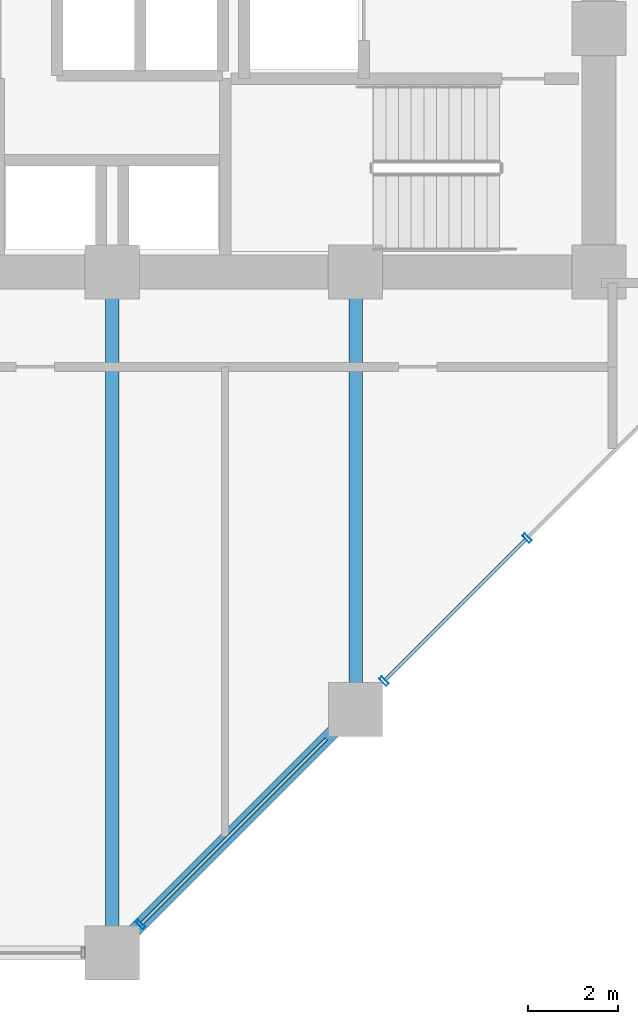
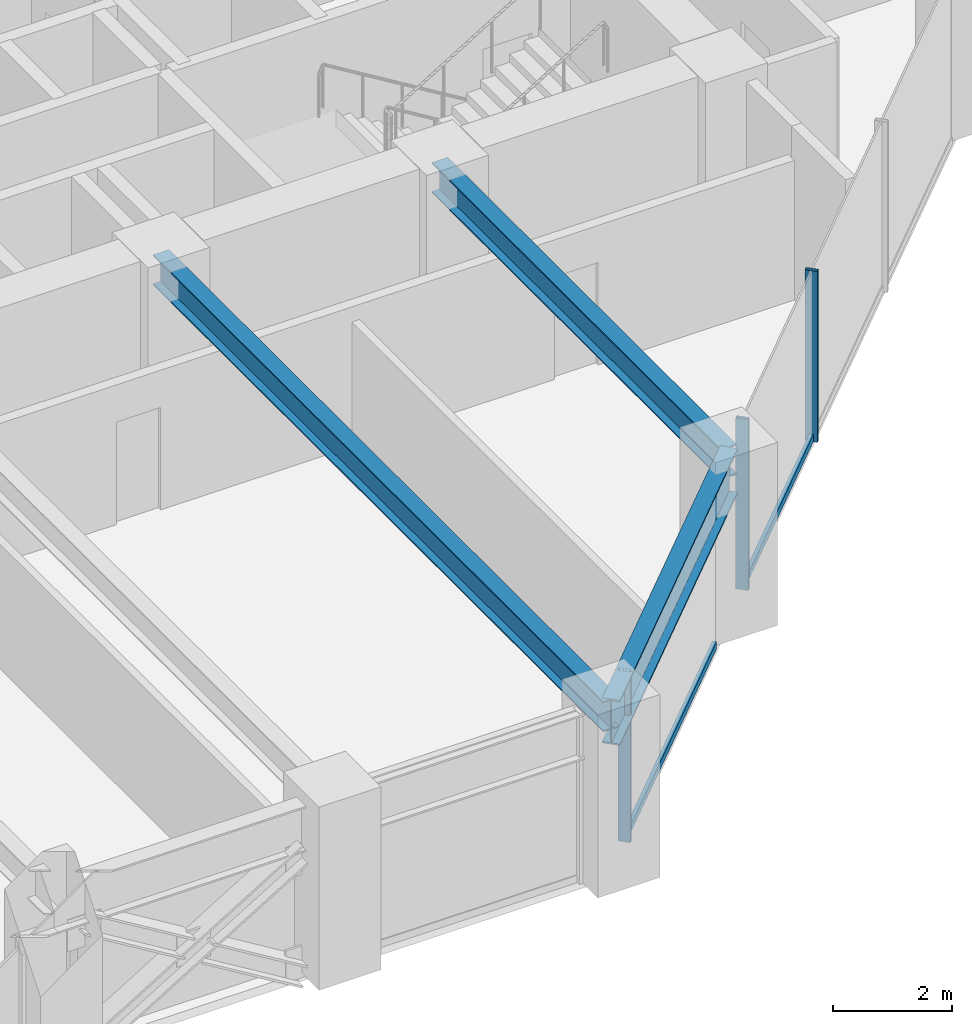
# One storey, part 7 of 26: 5 members, 3 beams, 1 element without a shape of its own.
"""IFC4 building model written with IfcOpenShell, lengths in metres."""

from ifc_helpers import new_model, si_unit, direction, frame, origin, origin_2d, place, context, subcontext, project, spatial, hollow_rectangle, i_section, extrude, material, layer, layer_set, material_profile, profile_set, type_object, element, aggregate, save


model = new_model("IFC4")

# Units and contexts
model_context = context("Model", 3, precision=1e-05, world=origin(), true_north=direction((0.0, 1.0)))
body_context = subcontext(model_context, "Body", "Model", "MODEL_VIEW")
ifc_project = project(units=[si_unit("LENGTHUNIT", "METRE"), si_unit("AREAUNIT", "SQUARE_METRE"), si_unit("VOLUMEUNIT", "CUBIC_METRE"), si_unit("PLANEANGLEUNIT", "RADIAN"), si_unit("MASSUNIT", "GRAM", prefix="KILO")], contexts=[model_context])

# Site, building, storey
site_placement = place(None, origin())
site = spatial("IfcSite", under=ifc_project, at=site_placement, CompositionType="ELEMENT")
building_placement = place(site_placement, origin())
building = spatial("IfcBuilding", under=site, at=building_placement, Name="Surkhivell Harbour Commons", CompositionType="ELEMENT")
storey_placement = place(building_placement, frame((0.0, 0.0, 75.0)))
storey = spatial("IfcBuildingStorey", under=building, at=storey_placement, Name="L19", CompositionType="ELEMENT", Elevation=75.0)

# Beams
ifc_material_1 = material(Name="Steel S355", Category="steel")
ifc_material_profile_1 = material_profile(ifc_material_1, i_section(OverallWidth=0.306884765625, OverallDepth=0.6201171875, WebThickness=0.01416015625, FlangeThickness=0.023681640625, at=origin_2d()), Name="UB610x305x179")
ifc_profile_set_1 = profile_set([ifc_material_profile_1], Name="Steel S355")
beam_type_1 = type_object("IfcBeamType", Name="BM-GRD-610A", PredefinedType="BEAM", material=ifc_profile_set_1)
beam_1_placement = place(storey_placement, frame((0.0, -25.89990234375, 3.18994140625), z_axis=(0.0, 1.0, 0.0), x_axis=(-1.0, 0.0, 0.0)))
element("IfcBeam", 1, at=beam_1_placement, inside=storey, type_object=beam_type_1, Name="L19 Floor Girder (0.0,-25.9)", PredefinedType="BEAM", context=body_context, shape_type="SweptSolid", body=[
    extrude(i_section(OverallWidth=0.306884765625, OverallDepth=0.6201171875, WebThickness=0.01416015625, FlangeThickness=0.023681640625, at=origin_2d()), origin(), (0.0, 0.0, 1.0), 15.099853515625),
])
beam_2_placement = place(storey_placement, frame((5.39990234375, -20.5, 3.18994140625), z_axis=(0.0, 1.0, 0.0), x_axis=(-1.0, 0.0, 0.0)))
element("IfcBeam", 2, at=beam_2_placement, inside=storey, type_object=beam_type_1, Name="L19 Floor Girder (5.4,-20.5)", PredefinedType="BEAM", context=body_context, shape_type="SweptSolid", body=[
    extrude(i_section(OverallWidth=0.306884765625, OverallDepth=0.6201171875, WebThickness=0.01416015625, FlangeThickness=0.023681640625, at=origin_2d()), origin(), (0.0, 0.0, 1.0), 9.699951171875),
])
ifc_material_2 = material(Name="Steel S460", Category="steel")
ifc_material_profile_2 = material_profile(ifc_material_2, i_section(OverallWidth=0.30810546875, OverallDepth=0.927001953125, WebThickness=0.01953125, FlangeThickness=0.031982421875, at=origin_2d()), Name="UB914x305x289")
ifc_profile_set_2 = profile_set([ifc_material_profile_2], Name="Steel S460")
beam_type_2 = type_object("IfcBeamType", Name="BM-SPN-914B", PredefinedType="SPANDREL", material=ifc_profile_set_2)
beam_3_placement = place(storey_placement, frame((0.0, -25.89990234375, 3.03662109375), z_axis=(0.707106781187, 0.707106781187, 0.0), x_axis=(-0.707106781187, 0.707106781187, 0.0)))
element("IfcBeam", 3, at=beam_3_placement, inside=storey, type_object=beam_type_2, Name="L19 Tube Spandrel (-0.0,-25.9)", PredefinedType="SPANDREL", context=body_context, shape_type="SweptSolid", body=[
    extrude(i_section(OverallWidth=0.30810546875, OverallDepth=0.927001953125, WebThickness=0.01953125, FlangeThickness=0.031982421875, at=origin_2d()), origin(), (0.0, 0.0, 1.0), 7.63671875),
])

# Curtain wall, members
ifc_material_3 = material(Name="Anodised pale-metal aluminium and insulated glazing", Category="aluminium")
ifc_layer = layer(ifc_material_3, 0.219970703125)
ifc_layer_set = layer_set([ifc_layer], Name="Anodised pale-metal aluminium and insulated glazing")
curtain_wall_type = type_object("IfcCurtainWallType", Name="CW-SYS-Z1", PredefinedType="NOTDEFINED", material=ifc_layer_set)
curtain_wall_placement = place(storey_placement, origin())
curtain_wall = element("IfcCurtainWall", 4, at=curtain_wall_placement, inside=storey, type_object=curtain_wall_type, Name="L19 Curtain Wall CW-L19-E01", PredefinedType="NOTDEFINED")
ifc_material_4 = material(Name="Anodised pale-metal aluminium alloy 6063-T6", Category="aluminium")
ifc_material_profile_3 = material_profile(ifc_material_4, hollow_rectangle(XDim=0.074951171875, YDim=0.219970703125, WallThickness=0.00390625, at=origin_2d()), Name="ALU-MULL-75x220")
ifc_profile_set_3 = profile_set([ifc_material_profile_3], Name="Anodised pale-metal aluminium alloy 6063-T6")
member_type_1 = type_object("IfcMemberType", Name="CWM-220", PredefinedType="MULLION", material=ifc_profile_set_3)
member_1_placement = place(storey_placement, frame((0.628173828125, -25.271728515625, 0.0), z_axis=(0.0, 0.0, 1.0), x_axis=(0.707106781187, 0.707106781187, 0.0)))
member_1 = element("IfcMember", 5, at=member_1_placement, type_object=member_type_1, Name="CW-Z1 mullion 1", PredefinedType="MULLION", context=body_context, shape_type="SweptSolid", body=[
    extrude(hollow_rectangle(XDim=0.074951171875, YDim=0.219970703125, WallThickness=0.00390625, at=origin_2d()), origin(), (0.0, 0.0, 1.0), 3.5),
])
member_2_placement = place(storey_placement, frame((6.0283203125, -19.871826171875, 0.0), z_axis=(0.0, 0.0, 1.0), x_axis=(0.707106781187, 0.707106781187, 0.0)))
member_2 = element("IfcMember", 6, at=member_2_placement, type_object=member_type_1, Name="CW-Z1 mullion 2", PredefinedType="MULLION", context=body_context, shape_type="SweptSolid", body=[
    extrude(hollow_rectangle(XDim=0.074951171875, YDim=0.219970703125, WallThickness=0.00390625, at=origin_2d()), origin(), (0.0, 0.0, 1.0), 3.5),
])
member_3_placement = place(storey_placement, frame((9.20068359375, -16.699462890625, 0.0), z_axis=(0.0, 0.0, 1.0), x_axis=(0.707106781187, 0.707106781187, 0.0)))
member_3 = element("IfcMember", 7, at=member_3_placement, type_object=member_type_1, Name="CW-Z1 mullion 3", PredefinedType="MULLION", context=body_context, shape_type="SweptSolid", body=[
    extrude(hollow_rectangle(XDim=0.074951171875, YDim=0.219970703125, WallThickness=0.00390625, at=origin_2d()), origin(), (0.0, 0.0, 1.0), 3.5),
])
ifc_material_profile_4 = material_profile(ifc_material_4, hollow_rectangle(XDim=0.074951171875, YDim=0.14990234375, WallThickness=0.00341796875, at=origin_2d()), Name="ALU-TRAN-75x150")
ifc_profile_set_4 = profile_set([ifc_material_profile_4], Name="Anodised pale-metal aluminium alloy 6063-T6")
member_type_2 = type_object("IfcMemberType", Name="CWT-150", PredefinedType="USERDEFINED", material=ifc_profile_set_4)
member_4_placement = place(storey_placement, frame((0.65478515625, -25.2451171875, 0.074951171875), z_axis=(0.707106781187, 0.707106781187, 0.0), x_axis=(-0.707106781187, 0.707106781187, 0.0)))
member_4 = element("IfcMember", 8, at=member_4_placement, type_object=member_type_2, Name="CW-Z1 transom 1.1", ObjectType="TRANSOM", PredefinedType="USERDEFINED", context=body_context, shape_type="SweptSolid", body=[
    extrude(hollow_rectangle(XDim=0.074951171875, YDim=0.14990234375, WallThickness=0.00341796875, at=origin_2d()), origin(), (0.0, 0.0, 1.0), 5.78466796875),
])
member_5_placement = place(storey_placement, frame((6.0546875, -19.84521484375, 0.074951171875), z_axis=(0.707106781187, 0.707106781187, 0.0), x_axis=(-0.707106781187, 0.707106781187, 0.0)))
member_5 = element("IfcMember", 9, at=member_5_placement, type_object=member_type_2, Name="CW-Z1 transom 2.1", ObjectType="TRANSOM", PredefinedType="USERDEFINED", context=body_context, shape_type="SweptSolid", body=[
    extrude(hollow_rectangle(XDim=0.074951171875, YDim=0.14990234375, WallThickness=0.00341796875, at=origin_2d()), origin(), (0.0, 0.0, 1.0), 4.411376953125),
])
aggregate(curtain_wall, [member_1, member_4, member_2, member_3, member_5])

save(model, "model.ifc")
